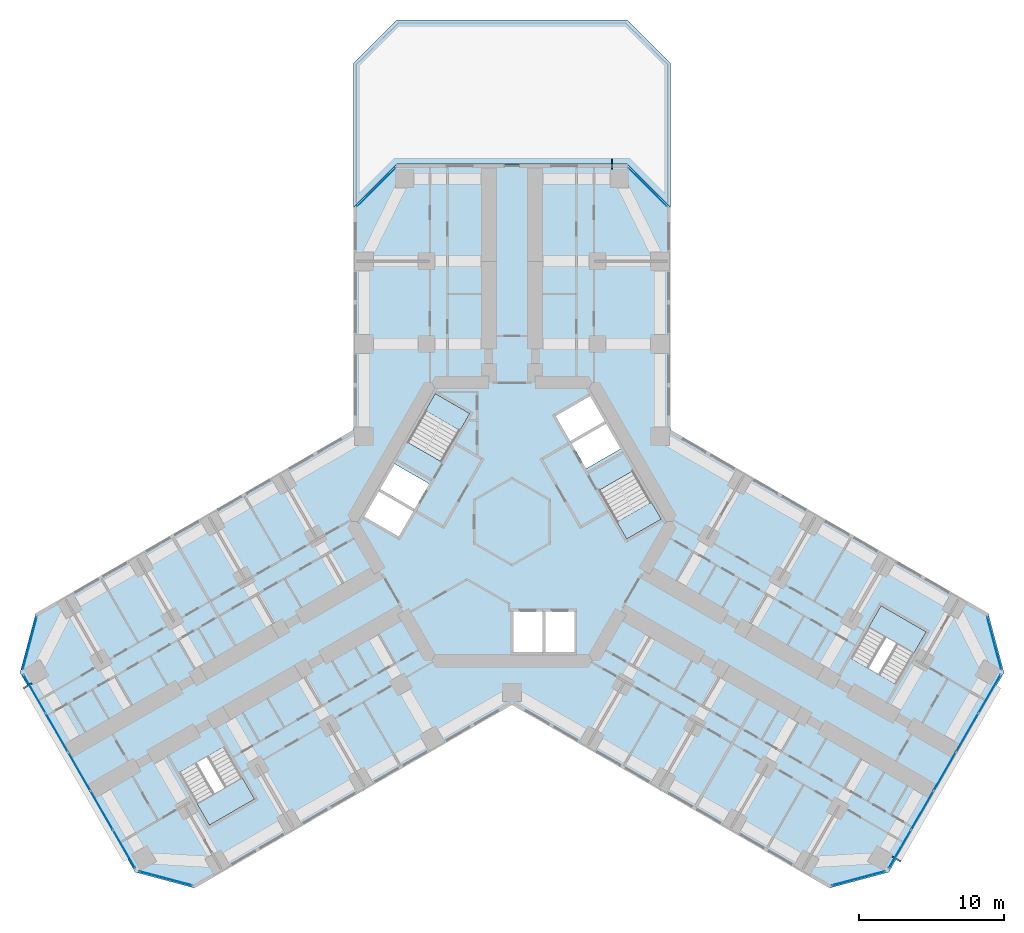
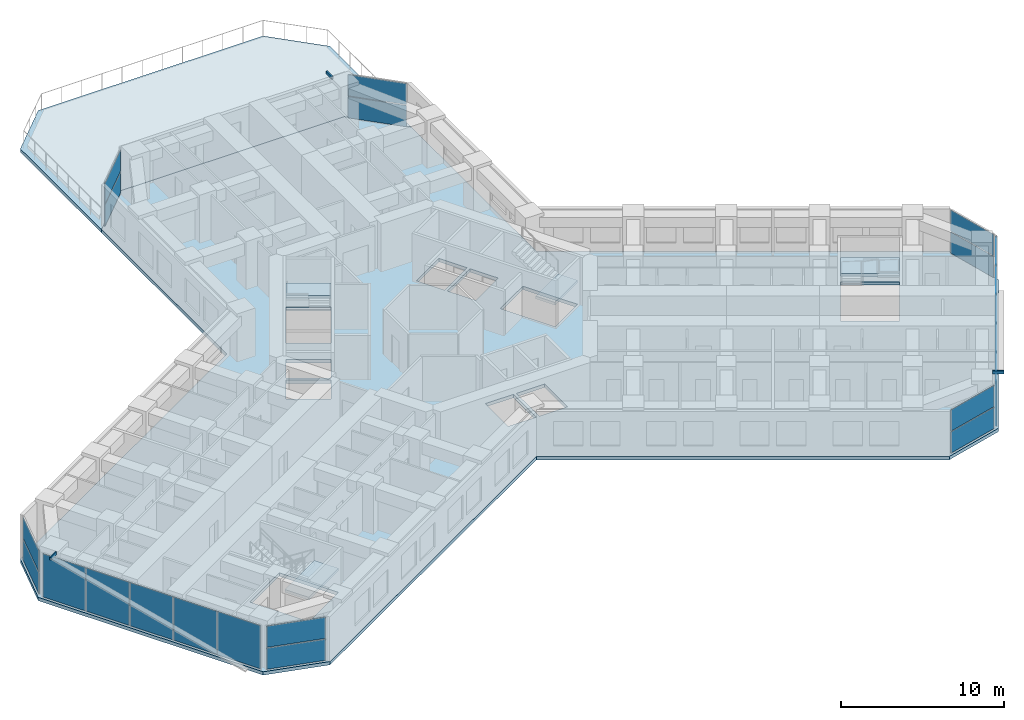
# One storey, part 9 of 19: 22 plates, 6 slabs, 3 members, 12 elements without a shape of their own.
"""IFC4 building model written with IfcOpenShell, lengths in metres."""

from ifc_helpers import new_model, si_unit, direction, frame, origin, origin_2d, place, context, subcontext, project, spatial, polyline, rectangle, hollow_rectangle, outline, extrude, material, layer, layer_set, material_profile, profile_set, type_object, element, aggregate, save


model = new_model("IFC4")

# Units and contexts
model_context = context("Model", 3, precision=1e-05, world=origin(), true_north=direction((0.0, 1.0)))
body_context = subcontext(model_context, "Body", "Model", "MODEL_VIEW")
ifc_project = project(units=[si_unit("LENGTHUNIT", "METRE"), si_unit("AREAUNIT", "SQUARE_METRE"), si_unit("VOLUMEUNIT", "CUBIC_METRE"), si_unit("PLANEANGLEUNIT", "RADIAN"), si_unit("MASSUNIT", "GRAM", prefix="KILO")], contexts=[model_context])

# Site, building, storey
site_placement = place(None, origin())
site = spatial("IfcSite", under=ifc_project, at=site_placement, CompositionType="ELEMENT")
building_placement = place(site_placement, origin())
building = spatial("IfcBuilding", under=site, at=building_placement, Name="Kosmar Iwan School Tower", CompositionType="ELEMENT")
storey_placement = place(building_placement, frame((0.0, 0.0, 120.199951171875)))
storey = spatial("IfcBuildingStorey", under=building, at=storey_placement, Name="L29", CompositionType="ELEMENT", Elevation=120.199951171875)

# Members
ifc_material_1 = material(Name="Steel S355", Category="steel")
ifc_material_profile = material_profile(ifc_material_1, hollow_rectangle(XDim=0.10009765625, YDim=0.199951171875, WallThickness=0.008056640625, at=origin_2d()), Name="RHS 200x100x8")
ifc_profile_set = profile_set([ifc_material_profile], Name="Steel S355")
member_type = type_object("IfcMemberType", Name="Fin bracket RHS 200x100", PredefinedType="USERDEFINED", material=ifc_profile_set)
for number, where, z_axis, x_axis, name in (
    (1, (26.212158203125, -23.09912109375, 3.47509765625), (0.866110083249, -0.499853302173, 0.0), (0.499853302173, 0.866110083249, 0.0), "Fin bracket L30"),
    (2, (-33.110595703125, -11.15087890625, 3.47509765625), (-0.865959057869, -0.500114896893, 0.0), (0.500114896893, -0.865959057869, 0.0), "Fin bracket L30"),
    (3, (6.898193359375, 24.300048828125, 3.47509765625), (0.0, 1.0, 0.0), (-1.0, 0.0, 0.0), "Fin bracket L30"),
):
    element("IfcMember", number, at=place(storey_placement, frame(where, z_axis=z_axis, x_axis=x_axis)), inside=storey, type_object=member_type, Name=name, ObjectType="FIN BRACKET", PredefinedType="USERDEFINED", context=body_context, shape_type="SweptSolid", body=[
        extrude(hollow_rectangle(XDim=0.10009765625, YDim=0.199951171875, WallThickness=0.008056640625, at=origin_2d()), origin(), (0.0, 0.0, 1.0), 0.699951171875),
    ])

# Curtain wall, plates
ifc_material_2 = material(Name="Dark glass in black aluminium frame", Category="aluminium")
curtain_wall_type = type_object("IfcCurtainWallType", Name="Sky lounge curtain wall", PredefinedType="USERDEFINED", material=ifc_material_2)
curtain_wall_1_placement = place(storey_placement, origin())
curtain_wall_1 = element("IfcCurtainWall", 4, at=curtain_wall_1_placement, inside=storey, type_object=curtain_wall_type, Name="Curtain wall L29-F02", ObjectType="FULL HEIGHT CURTAIN WALL", PredefinedType="USERDEFINED")
ifc_material_3 = material(Name="Dark glass", Category="glass")
ifc_layer_1 = layer(ifc_material_3, 0.028076171875)
ifc_layer_set_1 = layer_set([ifc_layer_1], Name="Dark glass panel 28")
plate_type = type_object("IfcPlateType", Name="Dark glass panel 28", PredefinedType="CURTAIN_PANEL", material=ifc_layer_set_1)
plate_1_placement = place(storey_placement, frame((23.908203125, -24.61328125, 0.06005859375), z_axis=(0.0, 0.0, 1.0), x_axis=(0.965925875495, 0.258818861462, 0.0)))
plate_1 = element("IfcPlate", 5, at=plate_1_placement, type_object=plate_type, Name="CW6 panel 1.1", PredefinedType="CURTAIN_PANEL", context=body_context, shape_type="SweptSolid", body=[
    extrude(rectangle(XDim=3.718994140625, YDim=0.028076171875, at=origin_2d()), origin(), (0.0, 0.0, 1.0), 1.5849609375),
])
plate_2_placement = place(storey_placement, frame((23.908203125, -24.61328125, 1.705078125), z_axis=(0.0, 0.0, 1.0), x_axis=(0.965925875495, 0.258818861462, 0.0)))
plate_2 = element("IfcPlate", 6, at=plate_2_placement, type_object=plate_type, Name="CW6 panel 1.2", PredefinedType="CURTAIN_PANEL", context=body_context, shape_type="SweptSolid", body=[
    extrude(rectangle(XDim=3.718994140625, YDim=0.028076171875, at=origin_2d()), origin(), (0.0, 0.0, 1.0), 1.5849609375),
])
aggregate(curtain_wall_1, [plate_1, plate_2])

curtain_wall_2_placement = place(storey_placement, origin())
curtain_wall_2 = element("IfcCurtainWall", 7, at=curtain_wall_2_placement, inside=storey, type_object=curtain_wall_type, Name="Curtain wall L29-F03", ObjectType="FULL HEIGHT CURTAIN WALL", PredefinedType="USERDEFINED")
plate_3_placement = place(storey_placement, frame((26.764404296875, -22.592529296875, 0.06005859375), z_axis=(0.0, 0.0, 1.0), x_axis=(0.499999997325, 0.866025405329, 0.0)))
plate_3 = element("IfcPlate", 8, at=plate_3_placement, type_object=plate_type, Name="CW6 panel 1.1", PredefinedType="CURTAIN_PANEL", context=body_context, shape_type="SweptSolid", body=[
    extrude(rectangle(XDim=3.00927734375, YDim=0.028076171875, at=origin_2d()), origin(), (0.0, 0.0, 1.0), 3.22998046875),
])
plate_4_placement = place(storey_placement, frame((28.306640625, -19.921630859375, 0.06005859375), z_axis=(0.0, 0.0, 1.0), x_axis=(0.499999997325, 0.866025405329, 0.0)))
plate_4 = element("IfcPlate", 9, at=plate_4_placement, type_object=plate_type, Name="CW6 panel 2.1", PredefinedType="CURTAIN_PANEL", context=body_context, shape_type="SweptSolid", body=[
    extrude(rectangle(XDim=3.039306640625, YDim=0.028076171875, at=origin_2d()), origin(), (0.0, 0.0, 1.0), 3.22998046875),
])
plate_5_placement = place(storey_placement, frame((29.856201171875, -17.237548828125, 0.06005859375), z_axis=(0.0, 0.0, 1.0), x_axis=(0.499999997325, 0.866025405329, 0.0)))
plate_5 = element("IfcPlate", 10, at=plate_5_placement, type_object=plate_type, Name="CW6 panel 3.1", PredefinedType="CURTAIN_PANEL", context=body_context, shape_type="SweptSolid", body=[
    extrude(rectangle(XDim=3.039306640625, YDim=0.028076171875, at=origin_2d()), origin(), (0.0, 0.0, 1.0), 3.22998046875),
])
plate_6_placement = place(storey_placement, frame((31.40576171875, -14.553466796875, 0.06005859375), z_axis=(0.0, 0.0, 1.0), x_axis=(0.499999997325, 0.866025405329, 0.0)))
plate_6 = element("IfcPlate", 11, at=plate_6_placement, type_object=plate_type, Name="CW6 panel 4.1", PredefinedType="CURTAIN_PANEL", context=body_context, shape_type="SweptSolid", body=[
    extrude(rectangle(XDim=3.039306640625, YDim=0.028076171875, at=origin_2d()), origin(), (0.0, 0.0, 1.0), 3.22998046875),
])
plate_7_placement = place(storey_placement, frame((32.947998046875, -11.88232421875, 0.06005859375), z_axis=(0.0, 0.0, 1.0), x_axis=(0.499999997325, 0.866025405329, 0.0)))
plate_7 = element("IfcPlate", 12, at=plate_7_placement, type_object=plate_type, Name="CW6 panel 5.1", PredefinedType="CURTAIN_PANEL", context=body_context, shape_type="SweptSolid", body=[
    extrude(rectangle(XDim=3.00927734375, YDim=0.028076171875, at=origin_2d()), origin(), (0.0, 0.0, 1.0), 3.22998046875),
])
aggregate(curtain_wall_2, [plate_3, plate_4, plate_5, plate_6, plate_7])

curtain_wall_3_placement = place(storey_placement, origin())
curtain_wall_3 = element("IfcCurtainWall", 13, at=curtain_wall_3_placement, inside=storey, type_object=curtain_wall_type, Name="Curtain wall L29-F04", ObjectType="FULL HEIGHT CURTAIN WALL", PredefinedType="USERDEFINED")
plate_8_placement = place(storey_placement, frame((33.269775390625, -8.3984375, 0.06005859375), z_axis=(0.0, 0.0, 1.0), x_axis=(-0.258818861462, 0.965925875495, 0.0)))
plate_8 = element("IfcPlate", 14, at=plate_8_placement, type_object=plate_type, Name="CW6 panel 1.1", PredefinedType="CURTAIN_PANEL", context=body_context, shape_type="SweptSolid", body=[
    extrude(rectangle(XDim=3.718994140625, YDim=0.028076171875, at=origin_2d()), origin(), (0.0, 0.0, 1.0), 1.5849609375),
])
plate_9_placement = place(storey_placement, frame((33.269775390625, -8.3984375, 1.705078125), z_axis=(0.0, 0.0, 1.0), x_axis=(-0.258818861462, 0.965925875495, 0.0)))
plate_9 = element("IfcPlate", 15, at=plate_9_placement, type_object=plate_type, Name="CW6 panel 1.2", PredefinedType="CURTAIN_PANEL", context=body_context, shape_type="SweptSolid", body=[
    extrude(rectangle(XDim=3.718994140625, YDim=0.028076171875, at=origin_2d()), origin(), (0.0, 0.0, 1.0), 1.5849609375),
])
aggregate(curtain_wall_3, [plate_8, plate_9])

curtain_wall_4_placement = place(storey_placement, origin())
curtain_wall_4 = element("IfcCurtainWall", 16, at=curtain_wall_4_placement, inside=storey, type_object=curtain_wall_type, Name="Curtain wall L29-F07", ObjectType="FULL HEIGHT CURTAIN WALL", PredefinedType="USERDEFINED")
plate_10_placement = place(storey_placement, frame((9.361572265625, 23.0615234375, 0.06005859375), z_axis=(0.0, 0.0, 1.0), x_axis=(-0.707106781187, 0.707106781187, 0.0)))
plate_10 = element("IfcPlate", 17, at=plate_10_placement, type_object=plate_type, Name="CW6 panel 1.1", PredefinedType="CURTAIN_PANEL", context=body_context, shape_type="SweptSolid", body=[
    extrude(rectangle(XDim=3.718994140625, YDim=0.028076171875, at=origin_2d()), origin(), (0.0, 0.0, 1.0), 1.5849609375),
])
plate_11_placement = place(storey_placement, frame((9.361572265625, 23.0615234375, 1.705078125), z_axis=(0.0, 0.0, 1.0), x_axis=(-0.707106781187, 0.707106781187, 0.0)))
plate_11 = element("IfcPlate", 18, at=plate_11_placement, type_object=plate_type, Name="CW6 panel 1.2", PredefinedType="CURTAIN_PANEL", context=body_context, shape_type="SweptSolid", body=[
    extrude(rectangle(XDim=3.718994140625, YDim=0.028076171875, at=origin_2d()), origin(), (0.0, 0.0, 1.0), 1.5849609375),
])
aggregate(curtain_wall_4, [plate_10, plate_11])

curtain_wall_5_placement = place(storey_placement, origin())
curtain_wall_5 = element("IfcCurtainWall", 19, at=curtain_wall_5_placement, inside=storey, type_object=curtain_wall_type, Name="Curtain wall L29-F09", ObjectType="FULL HEIGHT CURTAIN WALL", PredefinedType="USERDEFINED")
plate_12_placement = place(storey_placement, frame((-9.361572265625, 23.0615234375, 0.06005859375), z_axis=(0.0, 0.0, 1.0), x_axis=(-0.707106781187, -0.707106781187, 0.0)))
plate_12 = element("IfcPlate", 20, at=plate_12_placement, type_object=plate_type, Name="CW6 panel 1.1", PredefinedType="CURTAIN_PANEL", context=body_context, shape_type="SweptSolid", body=[
    extrude(rectangle(XDim=3.718994140625, YDim=0.028076171875, at=origin_2d()), origin(), (0.0, 0.0, 1.0), 1.5849609375),
])
plate_13_placement = place(storey_placement, frame((-9.361572265625, 23.0615234375, 1.705078125), z_axis=(0.0, 0.0, 1.0), x_axis=(-0.707106781187, -0.707106781187, 0.0)))
plate_13 = element("IfcPlate", 21, at=plate_13_placement, type_object=plate_type, Name="CW6 panel 1.2", PredefinedType="CURTAIN_PANEL", context=body_context, shape_type="SweptSolid", body=[
    extrude(rectangle(XDim=3.718994140625, YDim=0.028076171875, at=origin_2d()), origin(), (0.0, 0.0, 1.0), 1.5849609375),
])
aggregate(curtain_wall_5, [plate_12, plate_13])

curtain_wall_6_placement = place(storey_placement, origin())
curtain_wall_6 = element("IfcCurtainWall", 22, at=curtain_wall_6_placement, inside=storey, type_object=curtain_wall_type, Name="Curtain wall L29-F12", ObjectType="FULL HEIGHT CURTAIN WALL", PredefinedType="USERDEFINED")
plate_14_placement = place(storey_placement, frame((-33.269775390625, -8.3984375, 0.06005859375), z_axis=(0.0, 0.0, 1.0), x_axis=(-0.258818861462, -0.965925875495, 0.0)))
plate_14 = element("IfcPlate", 23, at=plate_14_placement, type_object=plate_type, Name="CW6 panel 1.1", PredefinedType="CURTAIN_PANEL", context=body_context, shape_type="SweptSolid", body=[
    extrude(rectangle(XDim=3.718994140625, YDim=0.028076171875, at=origin_2d()), origin(), (0.0, 0.0, 1.0), 1.5849609375),
])
plate_15_placement = place(storey_placement, frame((-33.269775390625, -8.3984375, 1.705078125), z_axis=(0.0, 0.0, 1.0), x_axis=(-0.258818861462, -0.965925875495, 0.0)))
plate_15 = element("IfcPlate", 24, at=plate_15_placement, type_object=plate_type, Name="CW6 panel 1.2", PredefinedType="CURTAIN_PANEL", context=body_context, shape_type="SweptSolid", body=[
    extrude(rectangle(XDim=3.718994140625, YDim=0.028076171875, at=origin_2d()), origin(), (0.0, 0.0, 1.0), 1.5849609375),
])
aggregate(curtain_wall_6, [plate_14, plate_15])

curtain_wall_7_placement = place(storey_placement, origin())
curtain_wall_7 = element("IfcCurtainWall", 25, at=curtain_wall_7_placement, inside=storey, type_object=curtain_wall_type, Name="Curtain wall L29-F13", ObjectType="FULL HEIGHT CURTAIN WALL", PredefinedType="USERDEFINED")
plate_16_placement = place(storey_placement, frame((-32.947998046875, -11.88232421875, 0.06005859375), z_axis=(0.0, 0.0, 1.0), x_axis=(0.499999997325, -0.866025405329, 0.0)))
plate_16 = element("IfcPlate", 26, at=plate_16_placement, type_object=plate_type, Name="CW6 panel 1.1", PredefinedType="CURTAIN_PANEL", context=body_context, shape_type="SweptSolid", body=[
    extrude(rectangle(XDim=3.00927734375, YDim=0.028076171875, at=origin_2d()), origin(), (0.0, 0.0, 1.0), 3.22998046875),
])
plate_17_placement = place(storey_placement, frame((-31.40576171875, -14.553466796875, 0.06005859375), z_axis=(0.0, 0.0, 1.0), x_axis=(0.499999997325, -0.866025405329, 0.0)))
plate_17 = element("IfcPlate", 27, at=plate_17_placement, type_object=plate_type, Name="CW6 panel 2.1", PredefinedType="CURTAIN_PANEL", context=body_context, shape_type="SweptSolid", body=[
    extrude(rectangle(XDim=3.039306640625, YDim=0.028076171875, at=origin_2d()), origin(), (0.0, 0.0, 1.0), 3.22998046875),
])
plate_18_placement = place(storey_placement, frame((-29.856201171875, -17.237548828125, 0.06005859375), z_axis=(0.0, 0.0, 1.0), x_axis=(0.499999997325, -0.866025405329, 0.0)))
plate_18 = element("IfcPlate", 28, at=plate_18_placement, type_object=plate_type, Name="CW6 panel 3.1", PredefinedType="CURTAIN_PANEL", context=body_context, shape_type="SweptSolid", body=[
    extrude(rectangle(XDim=3.039306640625, YDim=0.028076171875, at=origin_2d()), origin(), (0.0, 0.0, 1.0), 3.22998046875),
])
plate_19_placement = place(storey_placement, frame((-28.306640625, -19.921630859375, 0.06005859375), z_axis=(0.0, 0.0, 1.0), x_axis=(0.499999997325, -0.866025405329, 0.0)))
plate_19 = element("IfcPlate", 29, at=plate_19_placement, type_object=plate_type, Name="CW6 panel 4.1", PredefinedType="CURTAIN_PANEL", context=body_context, shape_type="SweptSolid", body=[
    extrude(rectangle(XDim=3.039306640625, YDim=0.028076171875, at=origin_2d()), origin(), (0.0, 0.0, 1.0), 3.22998046875),
])
plate_20_placement = place(storey_placement, frame((-26.764404296875, -22.592529296875, 0.06005859375), z_axis=(0.0, 0.0, 1.0), x_axis=(0.499999997325, -0.866025405329, 0.0)))
plate_20 = element("IfcPlate", 30, at=plate_20_placement, type_object=plate_type, Name="CW6 panel 5.1", PredefinedType="CURTAIN_PANEL", context=body_context, shape_type="SweptSolid", body=[
    extrude(rectangle(XDim=3.00927734375, YDim=0.028076171875, at=origin_2d()), origin(), (0.0, 0.0, 1.0), 3.22998046875),
])
aggregate(curtain_wall_7, [plate_16, plate_17, plate_18, plate_19, plate_20])

curtain_wall_8_placement = place(storey_placement, origin())
curtain_wall_8 = element("IfcCurtainWall", 31, at=curtain_wall_8_placement, inside=storey, type_object=curtain_wall_type, Name="Curtain wall L29-F14", ObjectType="FULL HEIGHT CURTAIN WALL", PredefinedType="USERDEFINED")
plate_21_placement = place(storey_placement, frame((-23.908203125, -24.61328125, 0.06005859375), z_axis=(0.0, 0.0, 1.0), x_axis=(0.965925875495, -0.258818861462, 0.0)))
plate_21 = element("IfcPlate", 32, at=plate_21_placement, type_object=plate_type, Name="CW6 panel 1.1", PredefinedType="CURTAIN_PANEL", context=body_context, shape_type="SweptSolid", body=[
    extrude(rectangle(XDim=3.718994140625, YDim=0.028076171875, at=origin_2d()), origin(), (0.0, 0.0, 1.0), 1.5849609375),
])
plate_22_placement = place(storey_placement, frame((-23.908203125, -24.61328125, 1.705078125), z_axis=(0.0, 0.0, 1.0), x_axis=(0.965925875495, -0.258818861462, 0.0)))
plate_22 = element("IfcPlate", 33, at=plate_22_placement, type_object=plate_type, Name="CW6 panel 1.2", PredefinedType="CURTAIN_PANEL", context=body_context, shape_type="SweptSolid", body=[
    extrude(rectangle(XDim=3.718994140625, YDim=0.028076171875, at=origin_2d()), origin(), (0.0, 0.0, 1.0), 1.5849609375),
])
aggregate(curtain_wall_8, [plate_21, plate_22])

# Stair, slab
ifc_material_4 = material(Name="Concrete C35/45", Category="concrete")
stair_type_1 = type_object("IfcStairType", Name="Escape stair 3600", PredefinedType="HALF_TURN_STAIR", material=ifc_material_4)
stair_1_placement = place(storey_placement, origin())
stair_1 = element("IfcStair", 34, at=stair_1_placement, inside=storey, type_object=stair_type_1, Name="Stair WS2 L29", PredefinedType="HALF_TURN_STAIR")
ifc_material_5 = material(Name="Concrete C35/45", Category="concrete")
ifc_layer_2 = layer(ifc_material_5, 0.199951171875)
ifc_layer_set_2 = layer_set([ifc_layer_2], Name="Escape stair landing 200")
slab_type_1 = type_object("IfcSlabType", Name="Escape stair landing 200", PredefinedType="LANDING", material=ifc_layer_set_2)
slab_1_placement = place(storey_placement, frame((0.0, 0.0, 1.60009765625)))
slab_1 = element("IfcSlab", 35, at=slab_1_placement, type_object=slab_type_1, Name="WS2 landing 1", PredefinedType="LANDING", context=body_context, shape_type="SweptSolid", body=[
    extrude(outline(polyline([(-18.607421875, -17.671142578125), (-21.72509765625, -19.47119140625), (-20.875, -20.943359375), (-17.75732421875, -19.143310546875), (-18.607421875, -17.671142578125)])), origin(), (0.0, 0.0, 1.0), 0.199951171875),
])
aggregate(stair_1, [slab_1])

stair_2_placement = place(storey_placement, origin())
stair_2 = element("IfcStair", 36, at=stair_2_placement, inside=storey, type_object=stair_type_1, Name="Stair WS3 L29", PredefinedType="HALF_TURN_STAIR")
slab_2_placement = place(storey_placement, frame((0.0, 0.0, 1.60009765625)))
slab_2 = element("IfcSlab", 37, at=slab_2_placement, type_object=slab_type_1, Name="WS3 landing 1", PredefinedType="LANDING", context=body_context, shape_type="SweptSolid", body=[
    extrude(outline(polyline([(24.607421875, -7.27880859375), (27.72509765625, -9.078857421875), (28.574951171875, -7.606689453125), (25.457275390625, -5.806640625), (24.607421875, -7.27880859375)])), origin(), (0.0, 0.0, 1.0), 0.199951171875),
])
aggregate(stair_2, [slab_2])

# Slab
ifc_material_6 = material(Name="Concrete C35/45", Category="concrete")
ifc_layer_3 = layer(ifc_material_6, 0.25)
ifc_layer_set_3 = layer_set([ifc_layer_3], Name="Floor slab 250")
slab_type_2 = type_object("IfcSlabType", Name="Floor slab 250", PredefinedType="FLOOR", material=ifc_layer_set_3)
slab_3_placement = place(storey_placement, frame((0.0, 0.0, -0.25)))
element("IfcSlab", 38, at=slab_3_placement, inside=storey, type_object=slab_type_2, Name="L29 floor slab", PredefinedType="FLOOR", context=body_context, shape_type="SweptSolid", body=[
    extrude(outline(polyline([(-21.891357421875, -25.282958984375), (0.0, -12.64404296875), (21.891357421875, -25.282958984375), (25.989501953125, -24.184814453125), (33.939453125, -10.4150390625), (32.84130859375, -6.317138671875), (10.949951171875, 6.322021484375), (10.949951171875, 21.64990234375), (7.949951171875, 24.64990234375), (-7.949951171875, 24.64990234375), (-10.949951171875, 21.64990234375), (-10.949951171875, 6.322021484375), (-32.84130859375, -6.317138671875), (-33.939453125, -10.4150390625), (-25.989501953125, -24.184814453125), (-21.891357421875, -25.282958984375)]), holes=[polyline([(7.91259765625, -1.205078125), (10.294189453125, 0.169921875), (8.3642578125, 3.5126953125), (5.982666015625, 2.1376953125), (7.91259765625, -1.205078125)]), polyline([(-2.91259765625, 7.455078125), (-5.294189453125, 8.830078125), (-7.22412109375, 5.4873046875), (-4.8427734375, 4.1123046875), (-2.91259765625, 7.455078125)]), polyline([(-5.712646484375, 2.60546875), (-8.09423828125, 3.98046875), (-9.09423828125, 2.248291015625), (-6.712646484375, 0.873291015625), (-5.712646484375, 2.60546875)]), polyline([(-6.812744140625, 0.7001953125), (-9.1943359375, 2.0751953125), (-10.1943359375, 0.343017578125), (-7.812744140625, -1.031982421875), (-6.812744140625, 0.7001953125)]), polyline([(5.112548828125, 3.64453125), (7.494140625, 5.01953125), (6.494140625, 6.751708984375), (4.112548828125, 5.376708984375), (5.112548828125, 3.64453125)]), polyline([(4.0126953125, 5.5498046875), (6.394287109375, 6.9248046875), (5.394287109375, 8.656982421875), (3.0126953125, 7.281982421875), (4.0126953125, 5.5498046875)]), polyline([(0.10009765625, -6.199951171875), (0.10009765625, -9.0), (2.10009765625, -9.0), (2.10009765625, -6.199951171875), (0.10009765625, -6.199951171875)]), polyline([(2.300048828125, -6.199951171875), (2.300048828125, -9.0), (4.300048828125, -9.0), (4.300048828125, -6.199951171875), (2.300048828125, -6.199951171875)]), polyline([(-19.847412109375, -15.5234375), (-22.965087890625, -17.323486328125), (-20.875, -20.943359375), (-17.75732421875, -19.143310546875), (-19.847412109375, -15.5234375)]), polyline([(23.367431640625, -9.426513671875), (26.485107421875, -11.2265625), (28.574951171875, -7.606689453125), (25.457275390625, -5.806640625), (23.367431640625, -9.426513671875)])]), origin(), (0.0, 0.0, 1.0), 0.25),
])

# Stair, slab
ifc_material_7 = material(Name="Concrete C35/45", Category="concrete")
stair_type_2 = type_object("IfcStairType", Name="Core stair 2750", PredefinedType="HALF_TURN_STAIR", material=ifc_material_7)
stair_3_placement = place(storey_placement, origin())
stair_3 = element("IfcStair", 39, at=stair_3_placement, inside=storey, type_object=stair_type_2, Name="Stair ST2 L29", PredefinedType="HALF_TURN_STAIR")
ifc_material_8 = material(Name="Concrete C35/45", Category="concrete")
ifc_layer_4 = layer(ifc_material_8, 0.199951171875)
ifc_layer_set_4 = layer_set([ifc_layer_4], Name="Stair landing 200")
slab_type_3 = type_object("IfcSlabType", Name="Stair landing 200", PredefinedType="LANDING", material=ifc_layer_set_4)
slab_4_placement = place(storey_placement, frame((0.0, 0.0, 1.60009765625)))
slab_4 = element("IfcSlab", 40, at=slab_4_placement, type_object=slab_type_3, Name="ST2 landing 1", PredefinedType="LANDING", context=body_context, shape_type="SweptSolid", body=[
    extrude(outline(polyline([(-2.91259765625, 7.455078125), (-5.294189453125, 8.830078125), (-5.97412109375, 7.65234375), (-3.5927734375, 6.27734375), (-2.91259765625, 7.455078125)])), origin(), (0.0, 0.0, 1.0), 0.199951171875),
])
aggregate(stair_3, [slab_4])

stair_4_placement = place(storey_placement, origin())
stair_4 = element("IfcStair", 41, at=stair_4_placement, inside=storey, type_object=stair_type_2, Name="Stair ST1 L29", PredefinedType="HALF_TURN_STAIR")
slab_5_placement = place(storey_placement, frame((0.0, 0.0, 1.60009765625)))
slab_5 = element("IfcSlab", 42, at=slab_5_placement, type_object=slab_type_3, Name="ST1 landing 1", PredefinedType="LANDING", context=body_context, shape_type="SweptSolid", body=[
    extrude(outline(polyline([(7.91259765625, -1.205078125), (10.294189453125, 0.169921875), (9.6142578125, 1.34765625), (7.232666015625, -0.02734375), (7.91259765625, -1.205078125)])), origin(), (0.0, 0.0, 1.0), 0.199951171875),
])
aggregate(stair_4, [slab_5])

# Slab
ifc_material_9 = material(Name="Concrete C35/45", Category="concrete")
ifc_layer_5 = layer(ifc_material_9, 0.25)
ifc_layer_set_5 = layer_set([ifc_layer_5], Name="Terrace slab 250")
slab_type_4 = type_object("IfcSlabType", Name="Terrace slab 250", PredefinedType="FLOOR", material=ifc_layer_set_5)
slab_6_placement = place(storey_placement, frame((0.0, 0.0, -0.25)))
element("IfcSlab", 43, at=slab_6_placement, inside=storey, type_object=slab_type_4, Name="Maintenance roof wing A", PredefinedType="FLOOR", context=body_context, shape_type="SweptSolid", body=[
    extrude(outline(polyline([(-10.949951171875, 21.64990234375), (-7.949951171875, 24.64990234375), (7.949951171875, 24.64990234375), (10.949951171875, 21.64990234375), (10.949951171875, 31.60009765625), (7.949951171875, 34.60009765625), (-7.949951171875, 34.60009765625), (-10.949951171875, 31.60009765625), (-10.949951171875, 21.64990234375)])), origin(), (0.0, 0.0, 1.0), 0.25),
])

save(model, "model.ifc")
